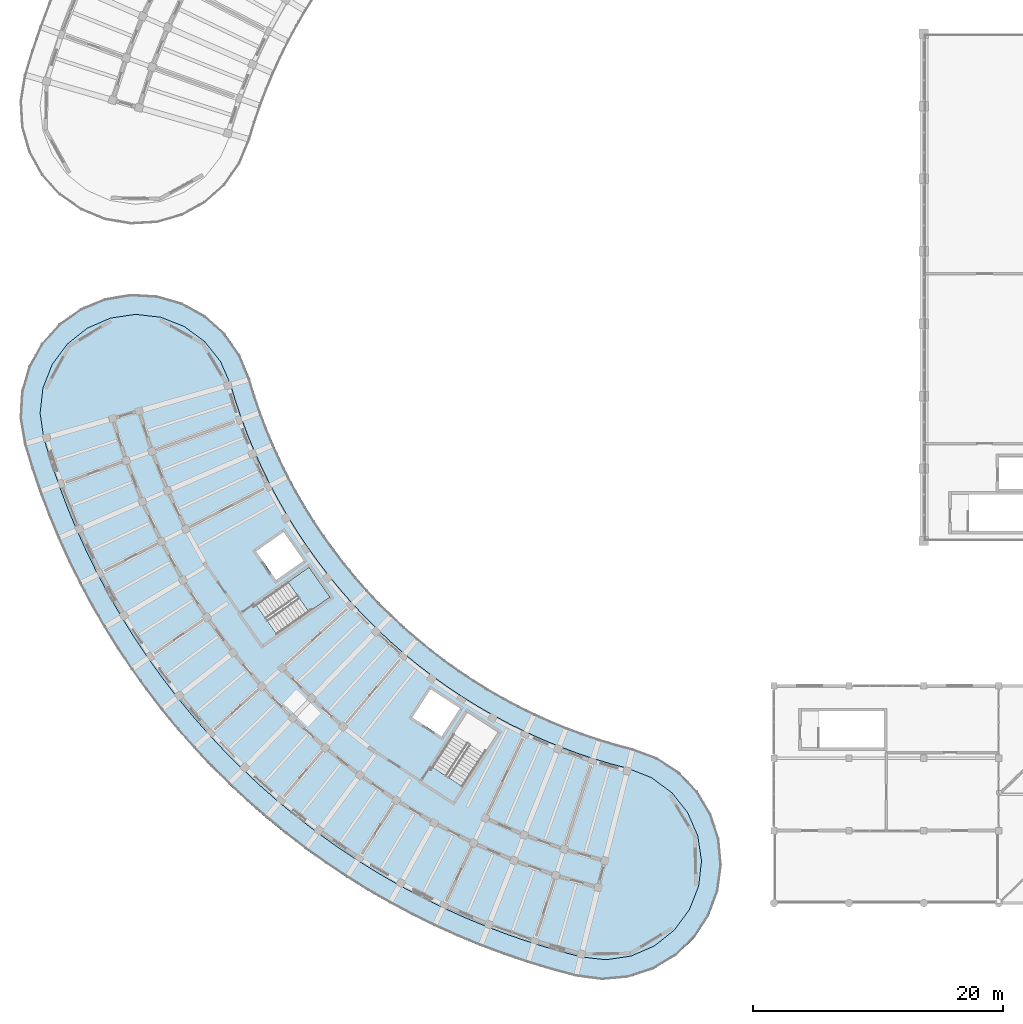
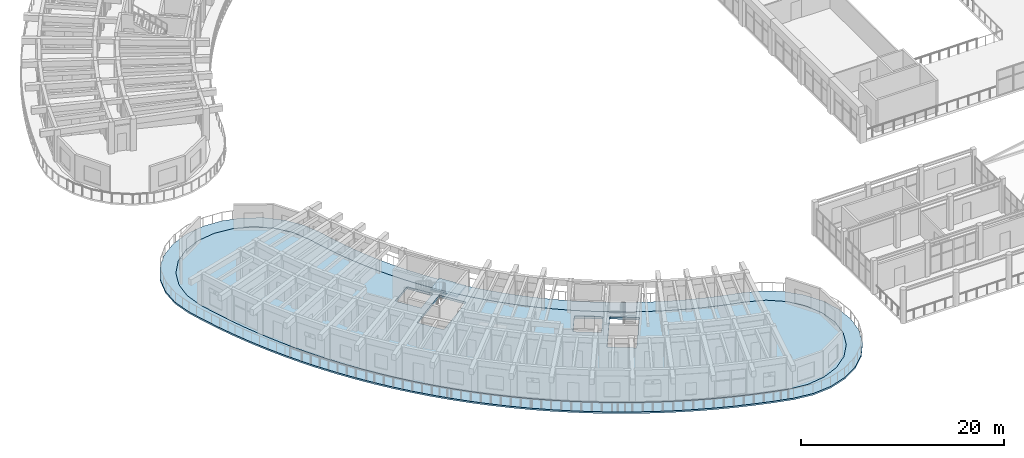
# One storey, part 66 of 128: 3 slabs, 1 element without a shape of its own.
"""IFC4 building model written with IfcOpenShell, lengths in metres."""

from ifc_helpers import new_model, si_unit, direction, frame, origin, place, context, subcontext, project, spatial, polyline, outline, extrude, material, layer, layer_set, type_object, element, aggregate, save


model = new_model("IFC4")

# Units and contexts
model_context = context("Model", 3, precision=1e-05, world=origin(), true_north=direction((0.0, 1.0)))
body_context = subcontext(model_context, "Body", "Model", "MODEL_VIEW")
ifc_project = project(units=[si_unit("LENGTHUNIT", "METRE"), si_unit("AREAUNIT", "SQUARE_METRE"), si_unit("VOLUMEUNIT", "CUBIC_METRE"), si_unit("PLANEANGLEUNIT", "RADIAN"), si_unit("MASSUNIT", "GRAM", prefix="KILO")], contexts=[model_context])

# Site, building, storey
site_placement = place(None, origin())
site = spatial("IfcSite", under=ifc_project, at=site_placement, CompositionType="ELEMENT")
building_placement = place(site_placement, origin())
building = spatial("IfcBuilding", under=site, at=building_placement, Name="Tanwirah Colonnade Gardens", CompositionType="ELEMENT")
storey_placement = place(building_placement, frame((0.0, 0.0, 4.760009765625)))
storey = spatial("IfcBuildingStorey", under=building, at=storey_placement, Name="L01", CompositionType="ELEMENT", Elevation=4.760009765625)

# Slab
ifc_material_1 = material(Name="White architectural precast concrete C40/50", Category="concrete")
ifc_layer_1 = layer(ifc_material_1, 0.199951171875)
ifc_layer_set_1 = layer_set([ifc_layer_1], Name="White architectural precast concrete C40/50")
slab_type_1 = type_object("IfcSlabType", Name="SL-BAL-200", PredefinedType="FLOOR", material=ifc_layer_set_1)
slab_1_placement = place(storey_placement, frame((0.0, 0.0, -0.199951171875)))
element("IfcSlab", 1, at=slab_1_placement, inside=storey, type_object=slab_type_1, Name="Block C L01 Continuous White Balcony Ribbon", PredefinedType="FLOOR", context=body_context, shape_type="SweptSolid", body=[
    extrude(outline(polyline([(23.2470703125, 54.70361328125), (22.03125, 56.421875), (20.46337890625, 57.826416015625), (18.62255859375, 58.846923828125), (16.6005859375, 59.43212890625), (14.4990234375, 59.552734375), (12.42333984375, 59.20263671875), (10.477783203125, 58.399658203125), (8.759521484375, 57.18359375), (7.35498046875, 55.615966796875), (6.33447265625, 53.77490234375), (5.749267578125, 51.7529296875), (5.62841796875, 49.651611328125), (5.978515625, 47.575927734375), (6.56396484375, 45.65380859375), (7.2119140625, 43.751953125), (7.921630859375, 41.872314453125), (8.692626953125, 40.016845703125), (9.523681640625, 38.1875), (10.414306640625, 36.386474609375), (11.363525390625, 34.61572265625), (12.369873046875, 32.876708984375), (13.432861328125, 31.171630859375), (14.55078125, 29.502197265625), (15.722900390625, 27.870361328125), (16.94775390625, 26.277587890625), (18.22412109375, 24.725830078125), (19.550537109375, 23.216796875), (20.92578125, 21.751708984375), (22.347900390625, 20.33251953125), (23.81591796875, 18.960693359375), (25.327880859375, 17.637451171875), (26.882568359375, 16.364501953125), (28.477783203125, 15.143310546875), (30.1123046875, 13.974609375), (31.7841796875, 12.860107421875), (33.491455078125, 11.801025390625), (35.232666015625, 10.79833984375), (37.005615234375, 9.85302734375), (38.80859375, 8.966552734375), (40.6396484375, 8.13916015625), (42.496826171875, 7.372314453125), (44.3779296875, 6.666748046875), (46.28125, 6.02294921875), (48.20458984375, 5.441650390625), (50.14599609375, 4.923828125), (52.232666015625, 4.646484375), (54.32861328125, 4.84033203125), (56.328857421875, 5.495849609375), (58.133056640625, 6.580078125), (59.65087890625, 8.038330078125), (60.80615234375, 9.798095703125), (61.540771484375, 11.7705078125), (61.818115234375, 13.857177734375), (61.624267578125, 15.953125), (60.96875, 17.953369140625), (59.884765625, 19.757568359375), (58.42626953125, 21.275390625), (56.666748046875, 22.4306640625), (54.694091796875, 23.165283203125), (53.34716796875, 23.524658203125), (52.0126953125, 23.927978515625), (50.692138671875, 24.37451171875), (49.386962890625, 24.8642578125), (48.0986328125, 25.396240234375), (46.828125, 25.97021484375), (45.5771484375, 26.58544921875), (44.34716796875, 27.2412109375), (43.13916015625, 27.93701171875), (41.95458984375, 28.671630859375), (40.794677734375, 29.445068359375), (39.66064453125, 30.255615234375), (38.5537109375, 31.10302734375), (37.47509765625, 31.986328125), (36.426025390625, 32.904296875), (35.407470703125, 33.856201171875), (34.420654296875, 34.8408203125), (33.466796875, 35.857177734375), (32.54638671875, 36.904296875), (31.660888671875, 37.98095703125), (30.81103515625, 39.0859375), (29.997802734375, 40.218017578125), (29.22216796875, 41.37646484375), (28.484619140625, 42.559326171875), (27.786376953125, 43.765869140625), (27.1279296875, 44.99462890625), (26.510009765625, 46.244140625), (25.933349609375, 47.51318359375), (25.3984375, 48.800537109375), (24.906005859375, 50.104736328125), (24.456298828125, 51.42431640625), (24.05029296875, 52.7578125), (23.2470703125, 54.70361328125)]), holes=[polyline([(21.68310546875, 54.173828125), (22.493408203125, 52.309814453125), (22.91455078125, 50.92724609375), (22.91455078125, 50.9267578125), (23.381103515625, 49.5576171875), (23.38134765625, 49.55712890625), (23.892333984375, 48.203857421875), (23.892578125, 48.203369140625), (24.447509765625, 46.86767578125), (24.44775390625, 46.866943359375), (25.046142578125, 45.55029296875), (25.04638671875, 45.549560546875), (25.6875, 44.253173828125), (25.687744140625, 44.25244140625), (26.37109375, 42.977783203125), (26.371337890625, 42.97705078125), (27.095947265625, 41.725341796875), (27.09619140625, 41.724853515625), (27.861328125, 40.497314453125), (27.86181640625, 40.496826171875), (28.66650390625, 39.294921875), (28.6669921875, 39.29443359375), (29.5107421875, 38.11962890625), (29.51123046875, 38.119140625), (30.392822265625, 36.97265625), (30.393310546875, 36.97216796875), (31.31201171875, 35.85498046875), (31.3125, 35.8544921875), (32.267333984375, 34.76806640625), (32.267822265625, 34.767578125), (33.257568359375, 33.713134765625), (33.258056640625, 33.712646484375), (34.281982421875, 32.69091796875), (34.282470703125, 32.690673828125), (35.339111328125, 31.702880859375), (35.339599609375, 31.70263671875), (36.42822265625, 30.75), (36.4287109375, 30.749755859375), (37.547607421875, 29.833251953125), (37.54833984375, 29.8330078125), (38.69677734375, 28.95361328125), (38.697265625, 28.953369140625), (39.873779296875, 28.112060546875), (39.874267578125, 28.111572265625), (41.077880859375, 27.309326171875), (41.078369140625, 27.30908203125), (42.307373046875, 26.546630859375), (42.30810546875, 26.54638671875), (43.5615234375, 25.824462890625), (43.56201171875, 25.82421875), (44.83837890625, 25.143798828125), (44.8388671875, 25.1435546875), (46.13671875, 24.505126953125), (46.137451171875, 24.5048828125), (47.45556640625, 23.909423828125), (47.4560546875, 23.9091796875), (48.79296875, 23.357177734375), (48.793701171875, 23.35693359375), (50.14794921875, 22.848876953125), (50.1484375, 22.8486328125), (51.5185546875, 22.38525390625), (51.519287109375, 22.385009765625), (52.90380859375, 21.966552734375), (52.904296875, 21.966552734375), (54.30078125, 21.593994140625), (56.19189453125, 20.84912109375), (57.824462890625, 19.640869140625), (59.088623046875, 18.051513671875), (59.8984375, 16.18896484375), (60.19873046875, 14.180419921875), (59.96875, 12.16259765625), (59.224365234375, 10.27294921875), (58.016357421875, 8.640380859375), (56.427001953125, 7.3759765625), (54.564453125, 6.566162109375), (52.555908203125, 6.265869140625), (50.536865234375, 6.49609375), (48.647705078125, 7.0), (46.775146484375, 7.565673828125), (44.922119140625, 8.192626953125), (43.090576171875, 8.879638671875), (41.282470703125, 9.626220703125), (39.499755859375, 10.431640625), (37.744384765625, 11.294921875), (36.01806640625, 12.21533203125), (34.322998046875, 13.19140625), (32.66064453125, 14.22265625), (31.03271484375, 15.3076171875), (29.44140625, 16.445556640625), (27.88818359375, 17.634521484375), (26.374755859375, 18.8740234375), (24.902587890625, 20.162109375), (23.473388671875, 21.497802734375), (22.088623046875, 22.879638671875), (20.749755859375, 24.305908203125), (19.458251953125, 25.775146484375), (18.215576171875, 27.2861328125), (17.023193359375, 28.836669921875), (15.8818359375, 30.425537109375), (14.79345703125, 32.051025390625), (13.758544921875, 33.7109375), (12.778564453125, 35.404052734375), (11.8544921875, 37.12841796875), (10.987548828125, 38.8818359375), (10.17822265625, 40.662841796875), (9.427490234375, 42.46923828125), (8.736572265625, 44.29931640625), (8.105712890625, 46.151123046875), (7.5361328125, 48.021240234375), (7.23583984375, 50.031005859375), (7.465576171875, 52.049072265625), (8.2099609375, 53.9384765625), (9.41796875, 55.5712890625), (11.007568359375, 56.83544921875), (12.869873046875, 57.645263671875), (14.878662109375, 57.945556640625), (16.896484375, 57.715576171875), (18.7861328125, 56.97119140625), (20.418701171875, 55.76318359375), (21.68310546875, 54.173828125)])]), origin(), (0.0, 0.0, 1.0), 0.199951171875),
])

# Stair, slab
ifc_material_2 = material(Name="Precast concrete C40/50", Category="concrete")
stair_type = type_object("IfcStairType", Name="ST-RES170", PredefinedType="HALF_TURN_STAIR", material=ifc_material_2)
stair_placement = place(storey_placement, origin())
stair = element("IfcStair", 2, at=stair_placement, inside=storey, type_object=stair_type, Name="L01 Block C Core 1 Exit Stair", PredefinedType="HALF_TURN_STAIR")
ifc_layer_2 = layer(ifc_material_2, 0.205078125)
ifc_layer_set_2 = layer_set([ifc_layer_2], Name="Precast concrete C40/50")
slab_type_2 = type_object("IfcSlabType", Name="SL-LND-205", PredefinedType="LANDING", material=ifc_layer_set_2)
slab_2_placement = place(storey_placement, frame((0.0, 0.0, 1.8349609375)))
slab_2 = element("IfcSlab", 3, at=slab_2_placement, type_object=slab_type_2, Name="ST-C1 landing 1", PredefinedType="LANDING", context=body_context, shape_type="SweptSolid", body=[
    extrude(outline(polyline([(28.75732421875, 34.117431640625), (30.448974609375, 35.3017578125), (28.77392578125, 37.69384765625), (27.08251953125, 36.50927734375), (28.75732421875, 34.117431640625)])), origin(), (0.0, 0.0, 1.0), 0.205078125),
])
aggregate(stair, [slab_2])

# Slab
ifc_material_3 = material(Name="Concrete C45/55", Category="concrete")
ifc_layer_3 = layer(ifc_material_3, 0.27490234375)
ifc_layer_set_3 = layer_set([ifc_layer_3], Name="Concrete C45/55")
slab_type_3 = type_object("IfcSlabType", Name="SL-POD-275", PredefinedType="FLOOR", material=ifc_layer_set_3)
slab_3_placement = place(storey_placement, frame((0.0, 0.0, -0.27490234375)))
element("IfcSlab", 4, at=slab_3_placement, inside=storey, type_object=slab_type_3, Name="Block C L01 Precast Composite Floor Slab", PredefinedType="FLOOR", context=body_context, shape_type="SweptSolid", body=[
    extrude(outline(polyline([(23.39990234375, 49.56396484375), (22.93359375, 50.93310546875), (22.51220703125, 52.31689453125), (21.7001953125, 54.18408203125), (20.4326171875, 55.777587890625), (18.7958984375, 56.98876953125), (16.9013671875, 57.735107421875), (14.878173828125, 57.965576171875), (12.864501953125, 57.664794921875), (10.9970703125, 56.852783203125), (9.403564453125, 55.585205078125), (8.1923828125, 53.948486328125), (7.446044921875, 52.053955078125), (7.215576171875, 50.03076171875), (7.5166015625, 48.016845703125), (8.086669921875, 46.14501953125), (8.7177734375, 44.29248046875), (9.408935546875, 42.4619140625), (10.159912109375, 40.65478515625), (10.969482421875, 38.873291015625), (11.836669921875, 37.119140625), (12.76123046875, 35.394287109375), (13.741455078125, 33.70068359375), (14.776611328125, 32.0400390625), (15.865478515625, 30.414306640625), (17.007080078125, 28.82470703125), (18.199951171875, 27.273681640625), (19.443115234375, 25.76220703125), (20.73486328125, 24.29248046875), (22.07421875, 22.86572265625), (23.45947265625, 21.4833984375), (24.88916015625, 20.1474609375), (26.36181640625, 18.858642578125), (27.875732421875, 17.618896484375), (29.4296875, 16.429443359375), (31.021484375, 15.291259765625), (32.649658203125, 14.205810546875), (34.312744140625, 13.17431640625), (36.00830078125, 12.19775390625), (37.735107421875, 11.277099609375), (39.4912109375, 10.41357421875), (41.2744140625, 9.60791015625), (43.083251953125, 8.861083984375), (44.91552734375, 8.173828125), (46.76904296875, 7.546630859375), (48.642333984375, 6.980712890625), (50.532958984375, 6.476318359375), (52.55615234375, 6.245849609375), (54.570068359375, 6.546875), (56.437255859375, 7.358642578125), (58.031005859375, 8.626220703125), (59.2421875, 10.26318359375), (59.98828125, 12.15771484375), (60.218994140625, 14.1806640625), (59.91796875, 16.194580078125), (59.10595703125, 18.06201171875), (57.83837890625, 19.655517578125), (56.20166015625, 20.86669921875), (54.30712890625, 21.613037109375), (52.90966796875, 21.98583984375), (51.52490234375, 22.404052734375), (50.15478515625, 22.867431640625), (48.800537109375, 23.37548828125), (47.4638671875, 23.927490234375), (46.145751953125, 24.523193359375), (44.84765625, 25.161376953125), (43.571533203125, 25.841796875), (42.318115234375, 26.563720703125), (41.0888671875, 27.326171875), (39.885498046875, 28.12841796875), (38.708740234375, 28.969482421875), (37.560302734375, 29.848876953125), (36.44140625, 30.76513671875), (35.352783203125, 31.717529296875), (34.296142578125, 32.705078125), (33.272216796875, 33.726806640625), (32.282470703125, 34.781494140625), (31.327392578125, 35.86767578125), (30.40869140625, 36.98486328125), (29.52685546875, 38.13134765625), (28.68310546875, 39.30615234375), (27.87841796875, 40.5078125), (27.11328125, 41.7353515625), (26.388671875, 42.987060546875), (25.705322265625, 44.261962890625), (25.064208984375, 45.55859375), (24.466064453125, 46.875244140625), (23.910888671875, 48.2109375), (23.39990234375, 49.56396484375)]), holes=[polyline([(24.5185546875, 34.71044921875), (28.775634765625, 37.69140625), (30.447021484375, 35.30419921875), (26.18994140625, 32.323486328125), (24.5185546875, 34.71044921875)]), polyline([(26.737060546875, 40.515869140625), (28.343017578125, 38.22216796875), (26.13134765625, 36.673583984375), (24.525390625, 38.967041015625), (26.737060546875, 40.515869140625)]), polyline([(43.900146484375, 24.486572265625), (41.069580078125, 20.1279296875), (38.625732421875, 21.715087890625), (41.4560546875, 26.073486328125), (43.900146484375, 24.486572265625)]), polyline([(39.385498046875, 24.13916015625), (37.037353515625, 25.664306640625), (38.5078125, 27.9287109375), (40.856201171875, 26.403564453125), (39.385498046875, 24.13916015625)])]), origin(), (0.0, 0.0, 1.0), 0.27490234375),
])

save(model, "model.ifc")
